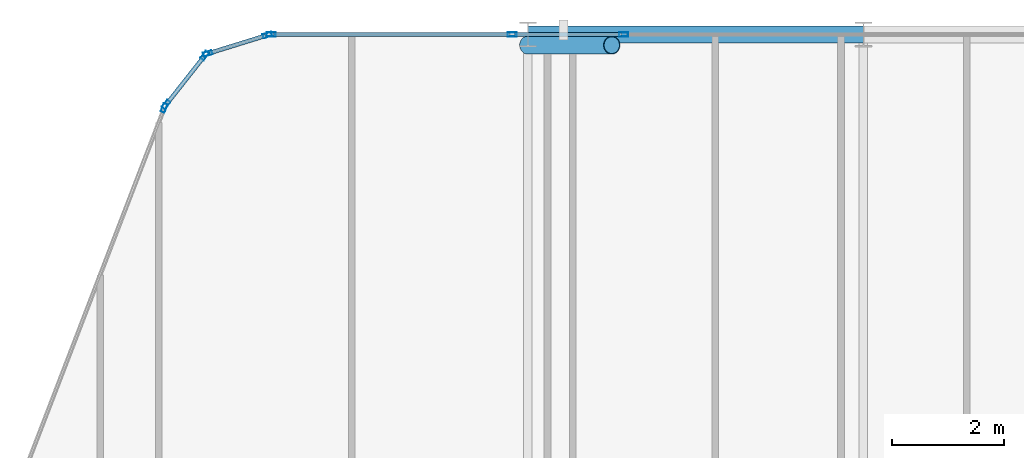
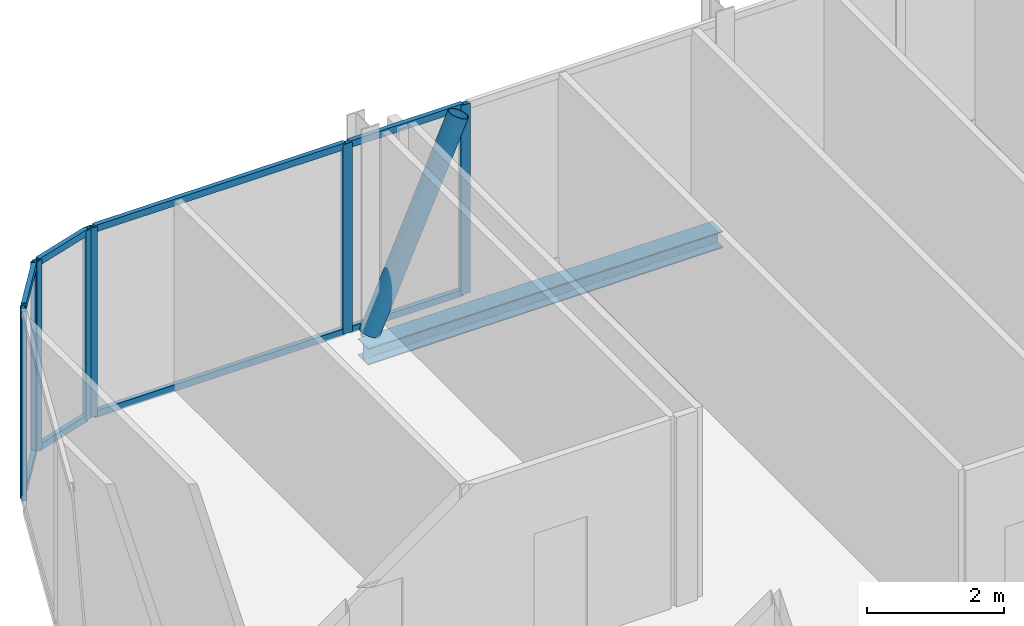
# One storey, part 18 of 29: 17 members, 1 beam, 5 elements without a shape of their own.
"""IFC4 building model written with IfcOpenShell, lengths in metres."""

from ifc_helpers import new_model, si_unit, direction, frame, origin, origin_2d, place, context, subcontext, project, spatial, hollow_rectangle, hollow_circle, i_section, extrude, material, layer, layer_set, material_profile, profile_set, type_object, element, aggregate, save


model = new_model("IFC4")

# Units and contexts
model_context = context("Model", 3, precision=1e-05, world=origin(), true_north=direction((0.0, 1.0)))
body_context = subcontext(model_context, "Body", "Model", "MODEL_VIEW")
ifc_project = project(units=[si_unit("LENGTHUNIT", "METRE"), si_unit("AREAUNIT", "SQUARE_METRE"), si_unit("VOLUMEUNIT", "CUBIC_METRE"), si_unit("PLANEANGLEUNIT", "RADIAN"), si_unit("MASSUNIT", "GRAM", prefix="KILO")], contexts=[model_context])

# Site, building, storey
site_placement = place(None, origin())
site = spatial("IfcSite", under=ifc_project, at=site_placement, CompositionType="ELEMENT")
building_placement = place(site_placement, origin())
building = spatial("IfcBuilding", under=site, at=building_placement, Name="Keshet Zoharim Tower", CompositionType="ELEMENT")
storey_placement = place(building_placement, frame((0.0, 0.0, 188.39990234375)))
storey = spatial("IfcBuildingStorey", under=building, at=storey_placement, Name="L46", CompositionType="ELEMENT", Elevation=188.39990234375)

# Beam
ifc_material_1 = material(Name="Steel S355", Category="steel")
ifc_material_profile_1 = material_profile(ifc_material_1, i_section(OverallWidth=0.300048828125, OverallDepth=0.300048828125, WebThickness=0.010986328125, FlangeThickness=0.01904296875, FilletRadius=0.027099609375, at=origin_2d()), Name="HEB300")
ifc_profile_set_1 = profile_set([ifc_material_profile_1], Name="Steel S355")
beam_type = type_object("IfcBeamType", Name="BM-PRI-HB300", PredefinedType="BEAM", material=ifc_profile_set_1)
beam_placement = place(storey_placement, frame((21.0, 53.89990234375, -0.4599609375), z_axis=(1.0, 0.0, 0.0), x_axis=(0.0, 1.0, 0.0)))
element("IfcBeam", 1, at=beam_placement, inside=storey, type_object=beam_type, Name="L46 Primary Girder X-019", PredefinedType="BEAM", context=body_context, shape_type="SweptSolid", body=[
    extrude(i_section(OverallWidth=0.300048828125, OverallDepth=0.300048828125, WebThickness=0.010986328125, FlangeThickness=0.01904296875, FilletRadius=0.027099609375, at=origin_2d()), origin(), (0.0, 0.0, 1.0), 6.0),
])

# Curtain wall, member
ifc_material_2 = material(Name="Aluminium 6063-T6", Category="aluminium")
ifc_layer = layer(ifc_material_2, 0.139892578125)
ifc_layer_set = layer_set([ifc_layer], Name="Aluminium 6063-T6")
curtain_wall_type = type_object("IfcCurtainWallType", Name="CW-SYS-05", PredefinedType="NOTDEFINED", material=ifc_layer_set)
curtain_wall_1_placement = place(storey_placement, origin())
curtain_wall_1 = element("IfcCurtainWall", 2, at=curtain_wall_1_placement, inside=storey, type_object=curtain_wall_type, Name="L46 Unitised Curtain Wall 13", PredefinedType="NOTDEFINED")
ifc_material_profile_2 = material_profile(ifc_material_2, hollow_rectangle(XDim=0.074951171875, YDim=0.159912109375, WallThickness=0.00390625, at=origin_2d()), Name="MUL-75x160")
ifc_profile_set_2 = profile_set([ifc_material_profile_2], Name="Aluminium 6063-T6")
member_type_1 = type_object("IfcMemberType", Name="CWM-M15", PredefinedType="MULLION", material=ifc_profile_set_2)
member_1_placement = place(storey_placement, frame((14.494384765625, 52.58544921875, 0.0), z_axis=(0.0, 0.0, 1.0), x_axis=(-0.933341404361, 0.358990003907, 0.0)))
member_1 = element("IfcMember", 3, at=member_1_placement, type_object=member_type_1, Name="CW-05 mullion 4", PredefinedType="MULLION", context=body_context, shape_type="SweptSolid", body=[
    extrude(hollow_rectangle(XDim=0.074951171875, YDim=0.159912109375, WallThickness=0.00390625, at=origin_2d()), origin(), (0.0, 0.0, 1.0), 3.39013671875),
])
aggregate(curtain_wall_1, [member_1])

# Curtain wall, members
curtain_wall_2_placement = place(storey_placement, origin())
curtain_wall_2 = element("IfcCurtainWall", 4, at=curtain_wall_2_placement, inside=storey, type_object=curtain_wall_type, Name="L46 Unitised Curtain Wall 14", PredefinedType="NOTDEFINED")
member_2_placement = place(storey_placement, frame((14.528564453125, 52.6455078125, 0.0), z_axis=(0.0, 0.0, 1.0), x_axis=(-0.785292825205, 0.619124525989, 0.0)))
member_2 = element("IfcMember", 5, at=member_2_placement, type_object=member_type_1, Name="CW-05 mullion 1", PredefinedType="MULLION", context=body_context, shape_type="SweptSolid", body=[
    extrude(hollow_rectangle(XDim=0.074951171875, YDim=0.159912109375, WallThickness=0.00390625, at=origin_2d()), origin(), (0.0, 0.0, 1.0), 3.39013671875),
])
member_3_placement = place(storey_placement, frame((15.21923828125, 53.521484375, 0.0), z_axis=(0.0, 0.0, 1.0), x_axis=(-0.785292825205, 0.619124525989, 0.0)))
member_3 = element("IfcMember", 6, at=member_3_placement, type_object=member_type_1, Name="CW-05 mullion 2", PredefinedType="MULLION", context=body_context, shape_type="SweptSolid", body=[
    extrude(hollow_rectangle(XDim=0.074951171875, YDim=0.159912109375, WallThickness=0.00390625, at=origin_2d()), origin(), (0.0, 0.0, 1.0), 3.39013671875),
])

curtain_wall_3_placement = place(storey_placement, origin())
curtain_wall_3 = element("IfcCurtainWall", 7, at=curtain_wall_3_placement, inside=storey, type_object=curtain_wall_type, Name="L46 Unitised Curtain Wall 15", PredefinedType="NOTDEFINED")
member_4_placement = place(storey_placement, frame((15.2744140625, 53.559326171875, 0.0), z_axis=(0.0, 0.0, 1.0), x_axis=(-0.295921857984, 0.955212151288, 0.0)))
member_4 = element("IfcMember", 8, at=member_4_placement, type_object=member_type_1, Name="CW-05 mullion 1", PredefinedType="MULLION", context=body_context, shape_type="SweptSolid", body=[
    extrude(hollow_rectangle(XDim=0.074951171875, YDim=0.159912109375, WallThickness=0.00390625, at=origin_2d()), origin(), (0.0, 0.0, 1.0), 3.39013671875),
])
member_5_placement = place(storey_placement, frame((16.340576171875, 53.8896484375, 0.0), z_axis=(0.0, 0.0, 1.0), x_axis=(-0.295921857984, 0.955212151288, 0.0)))
member_5 = element("IfcMember", 9, at=member_5_placement, type_object=member_type_1, Name="CW-05 mullion 2", PredefinedType="MULLION", context=body_context, shape_type="SweptSolid", body=[
    extrude(hollow_rectangle(XDim=0.074951171875, YDim=0.159912109375, WallThickness=0.00390625, at=origin_2d()), origin(), (0.0, 0.0, 1.0), 3.39013671875),
])

curtain_wall_4_placement = place(storey_placement, origin())
curtain_wall_4 = element("IfcCurtainWall", 10, at=curtain_wall_4_placement, inside=storey, type_object=curtain_wall_type, Name="L46 Unitised Curtain Wall 16", PredefinedType="NOTDEFINED")
member_6_placement = place(storey_placement, frame((16.408935546875, 53.89990234375, 0.0), z_axis=(0.0, 0.0, 1.0), x_axis=(0.0, 1.0, 0.0)))
member_6 = element("IfcMember", 11, at=member_6_placement, type_object=member_type_1, Name="CW-05 mullion 1", PredefinedType="MULLION", context=body_context, shape_type="SweptSolid", body=[
    extrude(hollow_rectangle(XDim=0.074951171875, YDim=0.159912109375, WallThickness=0.00390625, at=origin_2d()), origin(), (0.0, 0.0, 1.0), 3.39013671875),
])
member_7_placement = place(storey_placement, frame((20.716796875, 53.89990234375, 0.0), z_axis=(0.0, 0.0, 1.0), x_axis=(0.0, 1.0, 0.0)))
member_7 = element("IfcMember", 12, at=member_7_placement, type_object=member_type_1, Name="CW-05 mullion 2", PredefinedType="MULLION", context=body_context, shape_type="SweptSolid", body=[
    extrude(hollow_rectangle(XDim=0.074951171875, YDim=0.159912109375, WallThickness=0.00390625, at=origin_2d()), origin(), (0.0, 0.0, 1.0), 3.39013671875),
])

# Curtain wall, member
curtain_wall_5_placement = place(storey_placement, origin())
curtain_wall_5 = element("IfcCurtainWall", 13, at=curtain_wall_5_placement, inside=storey, type_object=curtain_wall_type, Name="L46 Unitised Curtain Wall 16 Part 2", PredefinedType="NOTDEFINED")
member_8_placement = place(storey_placement, frame((22.713134765625, 53.89990234375, 0.0), z_axis=(0.0, 0.0, 1.0), x_axis=(0.0, 1.0, 0.0)))
member_8 = element("IfcMember", 14, at=member_8_placement, type_object=member_type_1, Name="CW-05 mullion 2", PredefinedType="MULLION", context=body_context, shape_type="SweptSolid", body=[
    extrude(hollow_rectangle(XDim=0.074951171875, YDim=0.159912109375, WallThickness=0.00390625, at=origin_2d()), origin(), (0.0, 0.0, 1.0), 3.39013671875),
])

# Member
ifc_material_profile_3 = material_profile(ifc_material_2, hollow_rectangle(XDim=0.074951171875, YDim=0.1201171875, WallThickness=0.00390625, at=origin_2d()), Name="TRN-75x120")
ifc_profile_set_3 = profile_set([ifc_material_profile_3], Name="Aluminium 6063-T6")
member_type_2 = type_object("IfcMemberType", Name="CWT-T12", PredefinedType="USERDEFINED", material=ifc_profile_set_3)
member_9_placement = place(storey_placement, frame((14.55029296875, 52.6728515625, 0.03515625), z_axis=(0.619099165969, 0.78531281837, 0.0), x_axis=(-0.78531281837, 0.619099165969, 0.0)))
member_9 = element("IfcMember", 15, at=member_9_placement, type_object=member_type_2, Name="CW-05 transom 1.1", ObjectType="TRANSOM", PredefinedType="USERDEFINED", context=body_context, shape_type="SweptSolid", body=[
    extrude(hollow_rectangle(XDim=0.074951171875, YDim=0.1201171875, WallThickness=0.00390625, at=origin_2d()), origin(), (0.0, 0.0, 1.0), 1.0458984375),
])

member_10_placement = place(storey_placement, frame((14.55029296875, 52.6728515625, 3.35498046875), z_axis=(0.619099165969, 0.78531281837, 0.0), x_axis=(-0.78531281837, 0.619099165969, 0.0)))
member_10 = element("IfcMember", 16, at=member_10_placement, type_object=member_type_2, Name="CW-05 transom 1.2", ObjectType="TRANSOM", PredefinedType="USERDEFINED", context=body_context, shape_type="SweptSolid", body=[
    extrude(hollow_rectangle(XDim=0.074951171875, YDim=0.1201171875, WallThickness=0.00390625, at=origin_2d()), origin(), (0.0, 0.0, 1.0), 1.0458984375),
])

aggregate(curtain_wall_2, [member_2, member_3, member_9, member_10])

member_11_placement = place(storey_placement, frame((15.307861328125, 53.56982421875, 0.03515625), z_axis=(0.955212093062, 0.295922045933, 0.0), x_axis=(-0.295922045933, 0.955212093062, 0.0)))
member_11 = element("IfcMember", 17, at=member_11_placement, type_object=member_type_2, Name="CW-05 transom 1.1", ObjectType="TRANSOM", PredefinedType="USERDEFINED", context=body_context, shape_type="SweptSolid", body=[
    extrude(hollow_rectangle(XDim=0.074951171875, YDim=0.1201171875, WallThickness=0.00390625, at=origin_2d()), origin(), (0.0, 0.0, 1.0), 1.046142578125),
])

member_12_placement = place(storey_placement, frame((15.307861328125, 53.56982421875, 3.35498046875), z_axis=(0.955212093062, 0.295922045933, 0.0), x_axis=(-0.295922045933, 0.955212093062, 0.0)))
member_12 = element("IfcMember", 18, at=member_12_placement, type_object=member_type_2, Name="CW-05 transom 1.2", ObjectType="TRANSOM", PredefinedType="USERDEFINED", context=body_context, shape_type="SweptSolid", body=[
    extrude(hollow_rectangle(XDim=0.074951171875, YDim=0.1201171875, WallThickness=0.00390625, at=origin_2d()), origin(), (0.0, 0.0, 1.0), 1.046142578125),
])

aggregate(curtain_wall_3, [member_4, member_5, member_11, member_12])

member_13_placement = place(storey_placement, frame((16.444091796875, 53.89990234375, 0.03515625), z_axis=(1.0, 0.0, 0.0), x_axis=(0.0, 1.0, 0.0)))
member_13 = element("IfcMember", 19, at=member_13_placement, type_object=member_type_2, Name="CW-05 transom 1.1", ObjectType="TRANSOM", PredefinedType="USERDEFINED", context=body_context, shape_type="SweptSolid", body=[
    extrude(hollow_rectangle(XDim=0.074951171875, YDim=0.1201171875, WallThickness=0.00390625, at=origin_2d()), origin(), (0.0, 0.0, 1.0), 4.23779296875),
])

member_14_placement = place(storey_placement, frame((16.444091796875, 53.89990234375, 3.35498046875), z_axis=(1.0, 0.0, 0.0), x_axis=(0.0, 1.0, 0.0)))
member_14 = element("IfcMember", 20, at=member_14_placement, type_object=member_type_2, Name="CW-05 transom 1.2", ObjectType="TRANSOM", PredefinedType="USERDEFINED", context=body_context, shape_type="SweptSolid", body=[
    extrude(hollow_rectangle(XDim=0.074951171875, YDim=0.1201171875, WallThickness=0.00390625, at=origin_2d()), origin(), (0.0, 0.0, 1.0), 4.23779296875),
])

aggregate(curtain_wall_4, [member_6, member_7, member_13, member_14])

member_15_placement = place(storey_placement, frame((20.751953125, 53.89990234375, 0.03515625), z_axis=(1.0, 0.0, 0.0), x_axis=(0.0, 1.0, 0.0)))
member_15 = element("IfcMember", 21, at=member_15_placement, type_object=member_type_2, Name="CW-05 transom 1.1", ObjectType="TRANSOM", PredefinedType="USERDEFINED", context=body_context, shape_type="SweptSolid", body=[
    extrude(hollow_rectangle(XDim=0.074951171875, YDim=0.1201171875, WallThickness=0.00390625, at=origin_2d()), origin(), (0.0, 0.0, 1.0), 1.926025390625),
])

member_16_placement = place(storey_placement, frame((20.751953125, 53.89990234375, 3.35498046875), z_axis=(1.0, 0.0, 0.0), x_axis=(0.0, 1.0, 0.0)))
member_16 = element("IfcMember", 22, at=member_16_placement, type_object=member_type_2, Name="CW-05 transom 1.2", ObjectType="TRANSOM", PredefinedType="USERDEFINED", context=body_context, shape_type="SweptSolid", body=[
    extrude(hollow_rectangle(XDim=0.074951171875, YDim=0.1201171875, WallThickness=0.00390625, at=origin_2d()), origin(), (0.0, 0.0, 1.0), 1.926025390625),
])

aggregate(curtain_wall_5, [member_8, member_15, member_16])

ifc_material_profile_4 = material_profile(ifc_material_1, hollow_circle(Radius=0.161865234375, WallThickness=0.012451171875, at=origin_2d()), Name="CHS323x12.5")
ifc_profile_set_4 = profile_set([ifc_material_profile_4], Name="Steel S355")
member_type_3 = type_object("IfcMemberType", Name="MB-BR-C323", PredefinedType="BRACE", material=ifc_profile_set_4)
member_17_placement = place(storey_placement, frame((21.0, 53.7099609375, 0.0), z_axis=(0.404622528463, 0.0, 0.914483793984), x_axis=(0.0, 1.0, 0.0)))
element("IfcMember", 23, at=member_17_placement, inside=storey, type_object=member_type_3, Name="L46 Perimeter Tube Brace 02", PredefinedType="BRACE", context=body_context, shape_type="SweptSolid", body=[
    extrude(hollow_circle(Radius=0.161865234375, WallThickness=0.012451171875, at=origin_2d()), origin(), (0.0, 0.0, 1.0), 3.707275390625),
])

save(model, "model.ifc")
